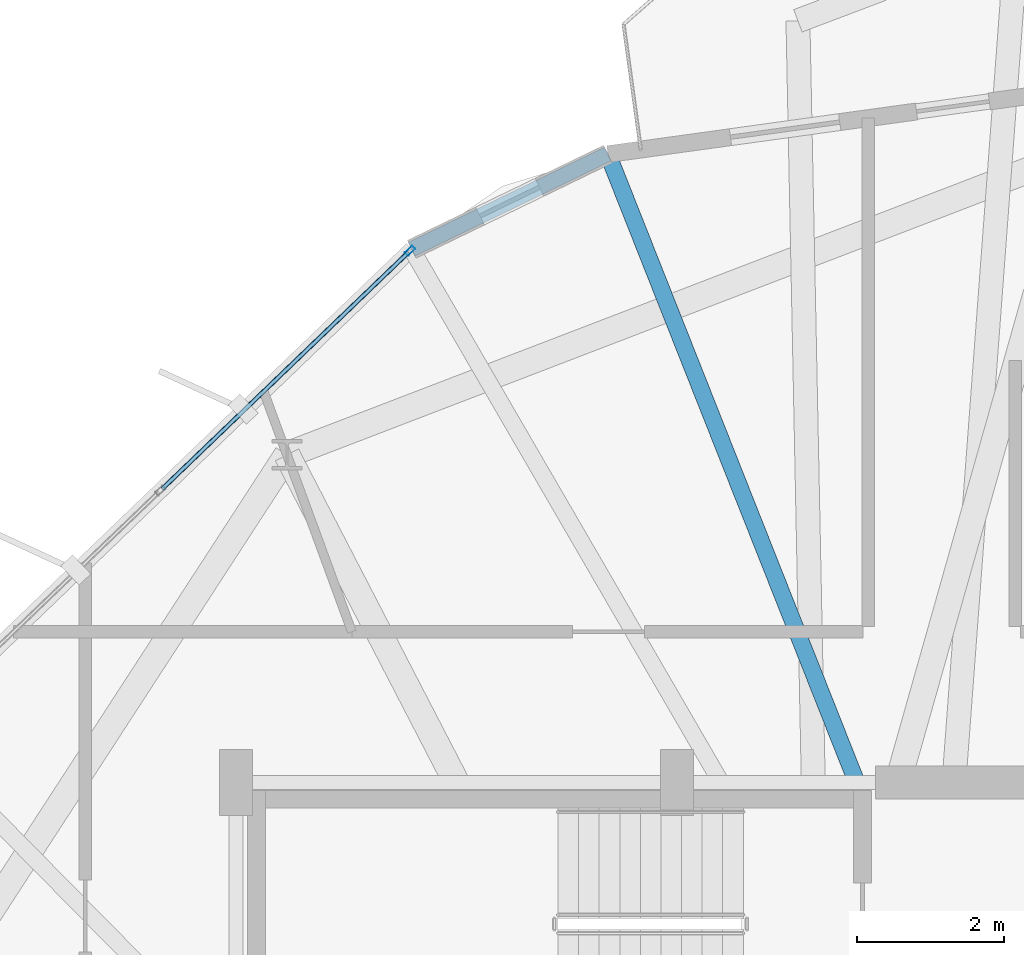
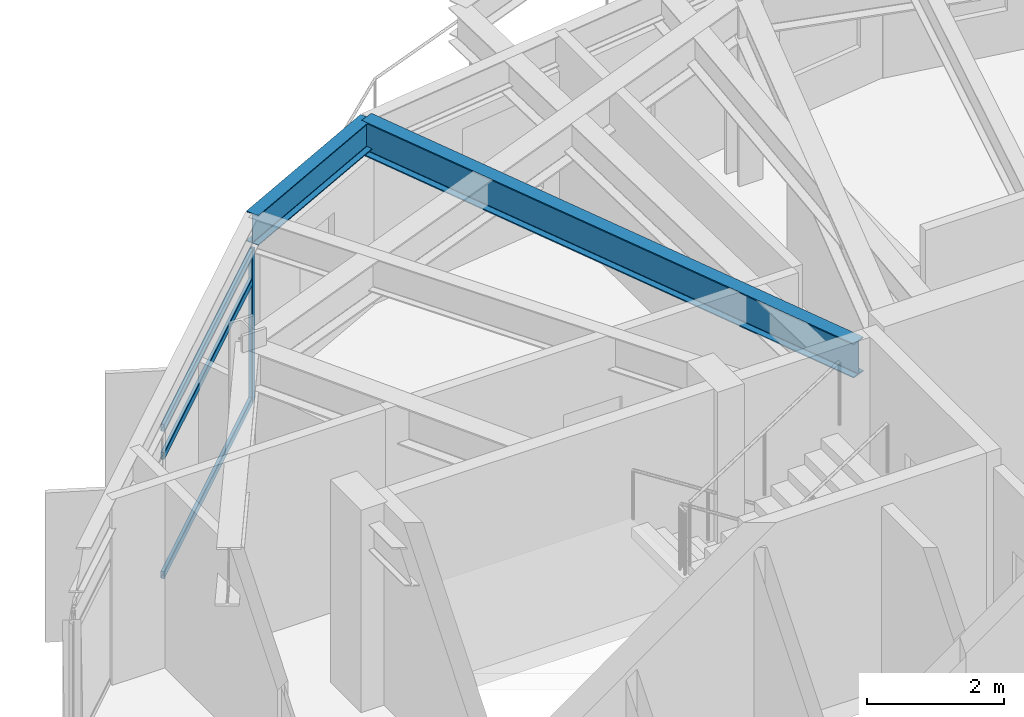
# One storey, part 14 of 26: 4 members, 2 beams, 1 element without a shape of its own.
"""IFC4 building model written with IfcOpenShell, lengths in metres."""

from ifc_helpers import new_model, si_unit, direction, frame, origin, origin_2d, place, context, subcontext, project, spatial, hollow_rectangle, i_section, extrude, material, layer, layer_set, material_profile, profile_set, type_object, element, aggregate, save


model = new_model("IFC4")

# Units and contexts
model_context = context("Model", 3, precision=1e-05, world=origin(), true_north=direction((0.0, 1.0)))
body_context = subcontext(model_context, "Body", "Model", "MODEL_VIEW")
ifc_project = project(units=[si_unit("LENGTHUNIT", "METRE"), si_unit("AREAUNIT", "SQUARE_METRE"), si_unit("VOLUMEUNIT", "CUBIC_METRE"), si_unit("PLANEANGLEUNIT", "RADIAN"), si_unit("MASSUNIT", "GRAM", prefix="KILO")], contexts=[model_context])

# Site, building, storey
site_placement = place(None, origin())
site = spatial("IfcSite", under=ifc_project, at=site_placement, CompositionType="ELEMENT")
building_placement = place(site_placement, origin())
building = spatial("IfcBuilding", under=site, at=building_placement, Name="Soratama Intermodal Tower", CompositionType="ELEMENT")
storey_placement = place(building_placement, frame((0.0, 0.0, 194.199951171875)))
storey = spatial("IfcBuildingStorey", under=building, at=storey_placement, Name="L48", CompositionType="ELEMENT", Elevation=194.199951171875)

# Beams
ifc_material_1 = material(Name="Structural steel ASTM A992 Grade 50", Category="steel")
ifc_material_profile_1 = material_profile(ifc_material_1, i_section(OverallWidth=0.2099609375, OverallDepth=0.537109375, WebThickness=0.010986328125, FlangeThickness=0.017333984375, FilletRadius=0.012939453125, at=origin_2d()), Name="W21X68")
ifc_profile_set_1 = profile_set([ifc_material_profile_1], Name="Structural steel ASTM A992 Grade 50")
beam_type_1 = type_object("IfcBeamType", Name="BM-SPN-W21X68", PredefinedType="SPANDREL", material=ifc_profile_set_1)
beam_1_placement = place(storey_placement, frame((37.658935546875, 43.544921875, 3.031494140625), z_axis=(-0.899825856868, -0.43624927199, 0.0), x_axis=(0.43624927199, -0.899825856868, 0.0)))
element("IfcBeam", 1, at=beam_1_placement, inside=storey, type_object=beam_type_1, Name="BS-L48-CRN02", PredefinedType="SPANDREL", context=body_context, shape_type="SweptSolid", body=[
    extrude(i_section(OverallWidth=0.2099609375, OverallDepth=0.537109375, WebThickness=0.010986328125, FlangeThickness=0.017333984375, FilletRadius=0.012939453125, at=origin_2d()), origin(), (0.0, 0.0, 1.0), 2.966064453125),
])
ifc_material_2 = material(Name="Structural steel ASTM A992 Grade 50", Category="steel")
ifc_material_profile_2 = material_profile(ifc_material_2, i_section(OverallWidth=0.22900390625, OverallDepth=0.612060546875, WebThickness=0.011962890625, FlangeThickness=0.01953125, FilletRadius=0.012939453125, at=origin_2d()), Name="W24X84")
ifc_profile_set_2 = profile_set([ifc_material_profile_2], Name="Structural steel ASTM A992 Grade 50")
beam_type_2 = type_object("IfcBeamType", Name="BM-TIE-W24X84", PredefinedType="BEAM", material=ifc_profile_set_2)
beam_2_placement = place(storey_placement, frame((41.027099609375, 35.037109375, 2.994140625), z_axis=(-0.368094584596, 0.929788350535, 0.0), x_axis=(-0.929788350535, -0.368094584596, 0.0)))
element("IfcBeam", 2, at=beam_2_placement, inside=storey, type_object=beam_type_2, Name="BM-L48-TIE1-02", PredefinedType="BEAM", context=body_context, shape_type="SweptSolid", body=[
    extrude(i_section(OverallWidth=0.22900390625, OverallDepth=0.612060546875, WebThickness=0.011962890625, FlangeThickness=0.01953125, FilletRadius=0.012939453125, at=origin_2d()), origin(), (0.0, 0.0, 1.0), 9.150146484375),
])

# Curtain wall, members
ifc_material_3 = material(Name="Double-glazed aluminium curtain wall", Category="aluminium")
ifc_layer = layer(ifc_material_3, 0.159912109375)
ifc_layer_set = layer_set([ifc_layer], Name="Double-glazed aluminium curtain wall")
curtain_wall_type = type_object("IfcCurtainWallType", Name="CW-SYS-5", PredefinedType="NOTDEFINED", material=ifc_layer_set)
curtain_wall_placement = place(storey_placement, origin())
curtain_wall = element("IfcCurtainWall", 3, at=curtain_wall_placement, inside=storey, type_object=curtain_wall_type, Name="L48 Faceted Curtain Wall F03", PredefinedType="NOTDEFINED")
ifc_material_4 = material(Name="Anodised aluminium AA 6063-T6", Category="aluminium")
ifc_material_profile_3 = material_profile(ifc_material_4, hollow_rectangle(XDim=0.06494140625, YDim=0.139892578125, WallThickness=0.0048828125, InnerFilletRadius=0.0048828125, OuterFilletRadius=0.010009765625, at=origin_2d()), Name="CWM140X65X5")
ifc_profile_set_3 = profile_set([ifc_material_profile_3], Name="Anodised aluminium AA 6063-T6")
member_type_1 = type_object("IfcMemberType", Name="MT-CWM-5", PredefinedType="MULLION", material=ifc_profile_set_3)
member_1_placement = place(storey_placement, frame((34.96826171875, 42.230224609375, 0.0), z_axis=(0.0, 0.0, 1.0), x_axis=(0.69289789426, -0.721035719039, 0.0)))
member_1 = element("IfcMember", 4, at=member_1_placement, type_object=member_type_1, Name="CW-5 mullion 1", PredefinedType="MULLION", context=body_context, shape_type="SweptSolid", body=[
    extrude(hollow_rectangle(XDim=0.06494140625, YDim=0.139892578125, WallThickness=0.0048828125, InnerFilletRadius=0.0048828125, OuterFilletRadius=0.010009765625, at=origin_2d()), origin(), (0.0, 0.0, 1.0), 2.678955078125),
])
ifc_material_5 = material(Name="Anodised aluminium AA 6063-T6", Category="aluminium")
ifc_material_profile_4 = material_profile(ifc_material_5, hollow_rectangle(XDim=0.06005859375, YDim=0.1298828125, WallThickness=0.0048828125, InnerFilletRadius=0.0048828125, OuterFilletRadius=0.010009765625, at=origin_2d()), Name="CWT130X60X5")
ifc_profile_set_4 = profile_set([ifc_material_profile_4], Name="Anodised aluminium AA 6063-T6")
member_type_2 = type_object("IfcMemberType", Name="TT-CWT-2", PredefinedType="USERDEFINED", material=ifc_profile_set_4)
member_2_placement = place(storey_placement, frame((34.946533203125, 42.20947265625, 0.030029296875), z_axis=(-0.721024909665, -0.692909142415, 0.0), x_axis=(0.692909142415, -0.721024909665, 0.0)))
member_2 = element("IfcMember", 5, at=member_2_placement, type_object=member_type_2, Name="CW-5 transom 1.1", ObjectType="TRANSOM", PredefinedType="USERDEFINED", context=body_context, shape_type="SweptSolid", body=[
    extrude(hollow_rectangle(XDim=0.06005859375, YDim=0.1298828125, WallThickness=0.0048828125, InnerFilletRadius=0.0048828125, OuterFilletRadius=0.010009765625, at=origin_2d()), origin(), (0.0, 0.0, 1.0), 4.6455078125),
])
member_3_placement = place(storey_placement, frame((34.946533203125, 42.20947265625, 2.150146484375), z_axis=(-0.721024909665, -0.692909142415, 0.0), x_axis=(0.692909142415, -0.721024909665, 0.0)))
member_3 = element("IfcMember", 6, at=member_3_placement, type_object=member_type_2, Name="CW-5 transom 1.2", ObjectType="TRANSOM", PredefinedType="USERDEFINED", context=body_context, shape_type="SweptSolid", body=[
    extrude(hollow_rectangle(XDim=0.06005859375, YDim=0.1298828125, WallThickness=0.0048828125, InnerFilletRadius=0.0048828125, OuterFilletRadius=0.010009765625, at=origin_2d()), origin(), (0.0, 0.0, 1.0), 4.6455078125),
])
member_4_placement = place(storey_placement, frame((34.946533203125, 42.20947265625, 2.649169921875), z_axis=(-0.721024909665, -0.692909142415, 0.0), x_axis=(0.692909142415, -0.721024909665, 0.0)))
member_4 = element("IfcMember", 7, at=member_4_placement, type_object=member_type_2, Name="CW-5 transom 1.3", ObjectType="TRANSOM", PredefinedType="USERDEFINED", context=body_context, shape_type="SweptSolid", body=[
    extrude(hollow_rectangle(XDim=0.06005859375, YDim=0.1298828125, WallThickness=0.0048828125, InnerFilletRadius=0.0048828125, OuterFilletRadius=0.010009765625, at=origin_2d()), origin(), (0.0, 0.0, 1.0), 4.6455078125),
])
aggregate(curtain_wall, [member_1, member_2, member_3, member_4])

save(model, "model.ifc")
